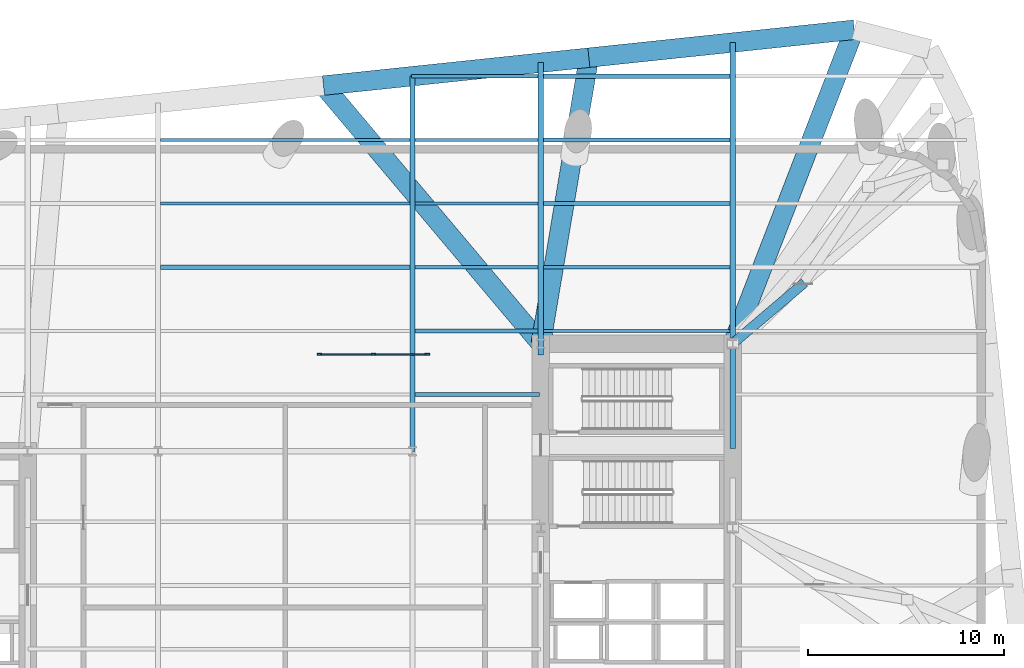
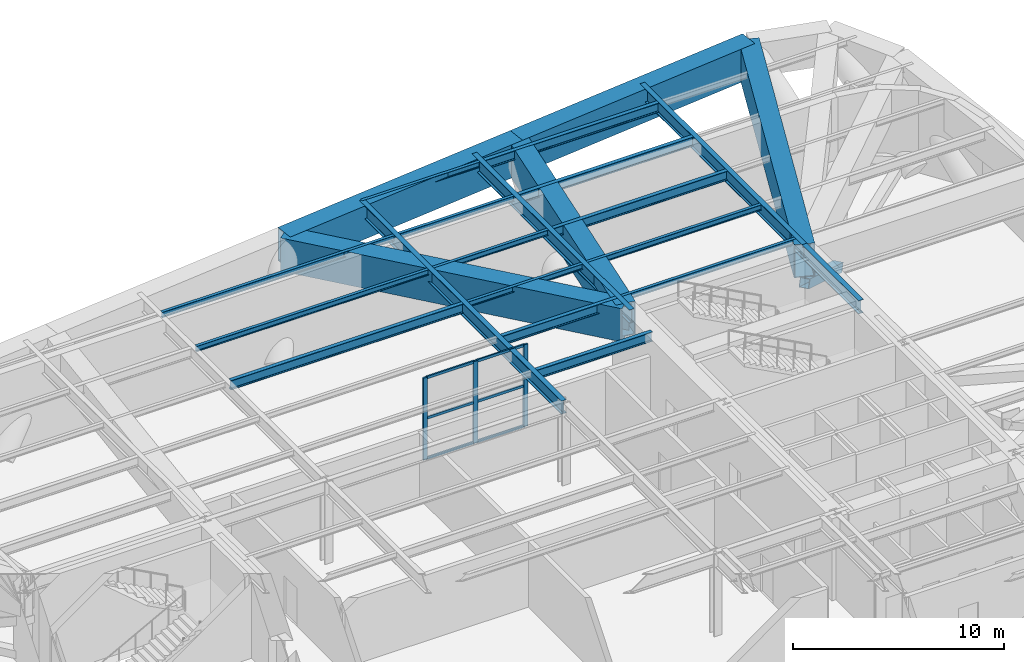
# One storey, part 5 of 16: 23 beams, 10 members, 1 element without a shape of its own.
"""IFC4 building model written with IfcOpenShell, lengths in metres."""

import ifcopenshell
import ifcopenshell.guid

model = None  # the IFC model being written
_history = None  # IfcOwnerHistory: only IFC2X3 demands one
_inside = {}  # id of a spatial element -> (the spatial element, [elements in it])
_under = {}  # id of a project, library or spatial element -> (it, [spatial elements below it])
_declared = {}  # id of a project -> (the project, [libraries it declares])
_typed = {}  # id of a type object -> (the type object, [elements of that type])
_made_of = {}  # id of a material, layer set ... -> (it, [elements and type objects made of it])


def new_model(schema):
    """Start an empty IFC model of exactly this schema.

    Asked for "IFC4X3", IfcOpenShell would pick the latest addendum, in which some entities
    have other attributes; the version numbers below select the first issue.
    IFC2X3 requires an IfcOwnerHistory on every rooted entity: one is made here for all.
    """
    global model, _history
    if schema == "IFC4X3":
        model = ifcopenshell.file(schema_version=(4, 3, 0, 0))
    else:
        model = ifcopenshell.file(schema=schema)
    _inside.clear()
    _under.clear()
    _declared.clear()
    _typed.clear()
    _made_of.clear()
    _history = None
    if model.schema == "IFC2X3":
        org = make("IfcOrganization", Name="unknown")
        user = make(
            "IfcPersonAndOrganization",
            ThePerson=make("IfcPerson", FamilyName="unknown"),
            TheOrganization=org,
        )
        app = make(
            "IfcApplication",
            ApplicationDeveloper=org,
            Version="unknown",
            ApplicationFullName="unknown",
            ApplicationIdentifier="unknown",
        )
        _history = make(
            "IfcOwnerHistory",
            OwningUser=user,
            OwningApplication=app,
            ChangeAction="ADDED",
            CreationDate=0,
        )
    return model


def make(cls, **values):
    """One entity of the class cls with the attributes given. An attribute that is None is left unset."""
    return model.create_entity(
        cls, **{name: value for name, value in values.items() if value is not None}
    )


def rooted(cls, **values):
    """An entity with a GlobalId (a new one), such as an element, a storey or a relation."""
    return make(cls, GlobalId=ifcopenshell.guid.new(), OwnerHistory=_history, **values)


def si_unit(unit_type, name, prefix=None):
    """IfcSIUnit, for example si_unit("LENGTHUNIT", "METRE", prefix="MILLI")."""
    return make("IfcSIUnit", UnitType=unit_type, Prefix=prefix, Name=name)


def assignment(units):
    """IfcUnitAssignment: the units of a project."""
    return None if units is None else make("IfcUnitAssignment", Units=units)


def point(xyz):
    """IfcCartesianPoint."""
    return None if xyz is None else make("IfcCartesianPoint", Coordinates=xyz)


def direction(xyz):
    """IfcDirection."""
    return None if xyz is None else make("IfcDirection", DirectionRatios=xyz)


def frame(location, z_axis=None, x_axis=None):
    """IfcAxis2Placement3D, a coordinate frame: its origin and axes. An axis left out is left unset."""
    return make(
        "IfcAxis2Placement3D",
        Location=point(location),
        Axis=direction(z_axis),
        RefDirection=direction(x_axis),
    )


def frame_2d(location, x_axis=None):
    """IfcAxis2Placement2D, a coordinate frame in the plane: its origin and x axis."""
    return make(
        "IfcAxis2Placement2D", Location=point(location), RefDirection=direction(x_axis)
    )


def origin():
    """The frame at (0, 0, 0) with its axes left unset."""
    return frame((0.0, 0.0, 0.0))


def origin_2d():
    """The frame at (0, 0) in the plane with its x axis left unset."""
    return frame_2d((0.0, 0.0))


def place(relative_to, where):
    """IfcLocalPlacement: puts the frame where relative to a parent placement (None: the world)."""
    return make(
        "IfcLocalPlacement", PlacementRelTo=relative_to, RelativePlacement=where
    )


def context(
    kind, dimensions, precision=None, world=None, true_north=None, identifier=None
):
    """IfcGeometricRepresentationContext, for example the 3D "Model" context."""
    return make(
        "IfcGeometricRepresentationContext",
        ContextIdentifier=identifier,
        ContextType=kind,
        CoordinateSpaceDimension=dimensions,
        Precision=precision,
        WorldCoordinateSystem=world,
        TrueNorth=true_north,
    )


def subcontext(parent, identifier, kind, view, scale=None):
    """IfcGeometricRepresentationSubContext, for example "Body" below "Model"."""
    return make(
        "IfcGeometricRepresentationSubContext",
        ContextIdentifier=identifier,
        ContextType=kind,
        ParentContext=parent,
        TargetScale=scale,
        TargetView=view,
    )


def project(units=None, contexts=None):
    """IfcProject with its units and contexts."""
    return rooted(
        "IfcProject",
        Name="project",
        RepresentationContexts=contexts,
        UnitsInContext=assignment(units),
    )


def spatial(cls, under=None, at=None, **own):
    """A site, building, storey or space (cls), placed at a placement, below another one or the project."""
    s = rooted(cls, ObjectPlacement=at, **own)
    if under is not None:
        _under.setdefault(under.id(), (under, []))[1].append(s)
    return s


def profile(cls, at=None, kind="AREA", **sizes):
    """A parametric profile (cls). Its sizes go by their IFC names, for example OverallWidth=200.0."""
    return make(cls, ProfileType=kind, Position=at, **sizes)


def rectangle(**sizes):
    """IfcRectangleProfileDef."""
    return profile("IfcRectangleProfileDef", **sizes)


def hollow_rectangle(**sizes):
    """IfcRectangleHollowProfileDef."""
    return profile("IfcRectangleHollowProfileDef", **sizes)


def i_section(**sizes):
    """IfcIShapeProfileDef."""
    return profile("IfcIShapeProfileDef", **sizes)


def extrude(swept, where, along, depth):
    """IfcExtrudedAreaSolid: the profile swept, set in the frame where, extruded along a direction by depth."""
    return make(
        "IfcExtrudedAreaSolid",
        SweptArea=swept,
        Position=where,
        ExtrudedDirection=direction(along),
        Depth=depth,
    )


def shape(context_of_items, identifier, shape_type, items):
    """IfcShapeRepresentation: the items that make up one representation, for example the "Body"."""
    return make(
        "IfcShapeRepresentation",
        ContextOfItems=context_of_items,
        RepresentationIdentifier=identifier,
        RepresentationType=shape_type,
        Items=items,
    )


def material(Name=None, Category=None):
    """IfcMaterial."""
    return make("IfcMaterial", Name=Name, Category=Category)


def material_profile(
    of_material, cross_section, Name=None, Category=None, Priority=None
):
    """IfcMaterialProfile: a cross section and its material."""
    return make(
        "IfcMaterialProfile",
        Name=Name,
        Material=of_material,
        Profile=cross_section,
        Priority=Priority,
        Category=Category,
    )


def profile_set(profiles, Name=None, composite=None):
    """IfcMaterialProfileSet."""
    return make(
        "IfcMaterialProfileSet",
        Name=Name,
        MaterialProfiles=profiles,
        CompositeProfile=composite,
    )


def made_of(thing, what):
    """Note that an element or type object is made of a material, layer set ...; save() writes the relation."""
    if what is not None:
        _made_of.setdefault(what.id(), (what, []))[1].append(thing)
    return thing


def type_object(cls, material=None, **own):
    """A type object (cls), such as IfcWallType, which elements share."""
    return made_of(rooted(cls, **own), material)


def element(
    cls,
    number,
    at=None,
    inside=None,
    cuts=None,
    type_object=None,
    material=None,
    context=None,
    identifier="Body",
    shape_type=None,
    held_by="IfcProductDefinitionShape",
    body=None,
    shapes=None,
    **own,
):
    """One element of the class cls, such as IfcWall. Its Tag is "e" and its number.

    at: its placement. inside: the storey or other place that contains it. cuts: it is an
    opening in that element (IfcRelVoidsElement). A single representation is given by context,
    identifier, shape_type and body (its items); several are given by shapes. held_by: the class
    of the entity that holds the representations. save() writes the other relations.
    """
    e = rooted(cls, Tag="e%d" % number, ObjectPlacement=at, **own)
    if body is not None:
        shapes = [shape(context, identifier, shape_type, body)]
    if shapes is not None:
        e.Representation = make(held_by, Representations=shapes)
    if inside is not None:
        _inside.setdefault(inside.id(), (inside, []))[1].append(e)
    if cuts is not None:
        rooted(
            "IfcRelVoidsElement", RelatingBuildingElement=cuts, RelatedOpeningElement=e
        )
    if type_object is not None:
        _typed.setdefault(type_object.id(), (type_object, []))[1].append(e)
    return made_of(e, material)


def aggregate(whole, parts):
    """IfcRelAggregates: a whole, such as a stair, and the parts it consists of."""
    return rooted("IfcRelAggregates", RelatingObject=whole, RelatedObjects=parts)


def save(model, path):
    """Write the relations noted so far, then the file.

    IfcRelAggregates (storeys below a building ...), IfcRelContainedInSpatialStructure (elements
    in a storey), IfcRelDefinesByType, IfcRelAssociatesMaterial and IfcRelDeclares: one each for
    every whole, place, type object, material and project.
    """
    for whole, parts in _under.values():
        aggregate(whole, parts)
    for where, things in _inside.values():
        rooted(
            "IfcRelContainedInSpatialStructure",
            RelatedElements=things,
            RelatingStructure=where,
        )
    for kind, things in _typed.values():
        rooted("IfcRelDefinesByType", RelatedObjects=things, RelatingType=kind)
    for what, things in _made_of.values():
        rooted("IfcRelAssociatesMaterial", RelatedObjects=things, RelatingMaterial=what)
    for by, libraries in _declared.values():
        rooted("IfcRelDeclares", RelatingContext=by, RelatedDefinitions=libraries)
    model.write(path)


model = new_model("IFC4")

# Units and contexts
model_context = context("Model", 3, precision=1e-05, world=origin(), true_north=direction((0.0, 1.0)))
body_context = subcontext(model_context, "Body", "Model", "MODEL_VIEW")
ifc_project = project(units=[si_unit("LENGTHUNIT", "METRE"), si_unit("AREAUNIT", "SQUARE_METRE"), si_unit("VOLUMEUNIT", "CUBIC_METRE"), si_unit("PLANEANGLEUNIT", "RADIAN"), si_unit("MASSUNIT", "GRAM", prefix="KILO")], contexts=[model_context])

# Site, building, storey
site_placement = place(None, origin())
site = spatial("IfcSite", under=ifc_project, at=site_placement, CompositionType="ELEMENT")
building_placement = place(site_placement, origin())
building = spatial("IfcBuilding", under=site, at=building_placement, Name="Kolvaren Arena Tower", CompositionType="ELEMENT")
storey_placement = place(building_placement, frame((0.0, 0.0, 94.5)))
storey = spatial("IfcBuildingStorey", under=building, at=storey_placement, Name="L21", CompositionType="ELEMENT", Elevation=94.5)

# Beams
ifc_material_1 = material(Name="Steel CSA G40.21 350W", Category="steel")
ifc_material_profile_1 = material_profile(ifc_material_1, i_section(OverallWidth=0.2119140625, OverallDepth=0.54296875, WebThickness=0.01318359375, FlangeThickness=0.0244140625, FilletRadius=0.013916015625, at=origin_2d()), Name="W530x150")
ifc_profile_set_1 = profile_set([ifc_material_profile_1], Name="Steel CSA G40.21 350W")
beam_type_1 = type_object("IfcBeamType", Name="BEAM-F1", PredefinedType="BEAM", material=ifc_profile_set_1)
beam_1_placement = place(storey_placement, frame((44.135009765625, 36.75, 4.478515625), z_axis=(1.0, 0.0, 0.0), x_axis=(0.0, 1.0, 0.0)))
element("IfcBeam", 1, at=beam_1_placement, inside=storey, type_object=beam_type_1, Name="Composite Floor Beam (L21)", PredefinedType="BEAM", context=body_context, shape_type="SweptSolid", body=[
    extrude(i_section(OverallWidth=0.2119140625, OverallDepth=0.54296875, WebThickness=0.01318359375, FlangeThickness=0.0244140625, FilletRadius=0.013916015625, at=origin_2d()), origin(), (0.0, 0.0, 1.0), 6.344970703125),
])
beam_2_placement = place(storey_placement, frame((44.135009765625, 40.0, 4.478515625), z_axis=(1.0, 0.0, 0.0), x_axis=(0.0, 1.0, 0.0)))
element("IfcBeam", 2, at=beam_2_placement, inside=storey, type_object=beam_type_1, Name="Composite Floor Beam (L21)", PredefinedType="BEAM", context=body_context, shape_type="SweptSolid", body=[
    extrude(i_section(OverallWidth=0.2119140625, OverallDepth=0.54296875, WebThickness=0.01318359375, FlangeThickness=0.0244140625, FilletRadius=0.013916015625, at=origin_2d()), origin(), (0.0, 0.0, 1.0), 6.280029296875),
])
beam_3_placement = place(storey_placement, frame((31.135009765625, 43.25, 4.478515625), z_axis=(1.0, 0.0, 0.0), x_axis=(0.0, 1.0, 0.0)))
element("IfcBeam", 3, at=beam_3_placement, inside=storey, type_object=beam_type_1, Name="Composite Floor Beam (L21)", PredefinedType="BEAM", context=body_context, shape_type="SweptSolid", body=[
    extrude(i_section(OverallWidth=0.2119140625, OverallDepth=0.54296875, WebThickness=0.01318359375, FlangeThickness=0.0244140625, FilletRadius=0.013916015625, at=origin_2d()), origin(), (0.0, 0.0, 1.0), 12.72998046875),
])
for number, where, z_axis, x_axis, name in (
    (4, (50.68505859375, 46.5, 4.478515625), (1.0, 0.0, 0.0), (0.0, 1.0, 0.0), "Composite Floor Beam (L21)"),
    (5, (50.68505859375, 49.75, 4.478515625), (1.0, 0.0, 0.0), (0.0, 1.0, 0.0), "Composite Floor Beam (L21)"),
    (6, (50.68505859375, 53.0, 4.478515625), (1.0, 0.0, 0.0), (0.0, 1.0, 0.0), "Composite Floor Beam (L21)"),
):
    element("IfcBeam", number, at=place(storey_placement, frame(where, z_axis=z_axis, x_axis=x_axis)), inside=storey, type_object=beam_type_1, Name=name, PredefinedType="BEAM", context=body_context, shape_type="SweptSolid", body=[
        extrude(i_section(OverallWidth=0.2119140625, OverallDepth=0.54296875, WebThickness=0.01318359375, FlangeThickness=0.0244140625, FilletRadius=0.013916015625, at=origin_2d()), origin(), (0.0, 0.0, 1.0), 9.530029296875),
    ])

# Curtain wall, members
ifc_material_2 = material(Name="Anodised aluminium unitised curtain wall", Category="aluminium")
curtain_wall_type = type_object("IfcCurtainWallType", Name="CW-SYS-05", PredefinedType="USERDEFINED", material=ifc_material_2)
curtain_wall_placement = place(storey_placement, origin())
curtain_wall = element("IfcCurtainWall", 7, at=curtain_wall_placement, inside=storey, type_object=curtain_wall_type, Name="Mechanical Plant Louvre Curtain Wall (L21)", ObjectType="ACOUSTIC LOUVRE SCREEN", PredefinedType="USERDEFINED")
ifc_material_3 = material(Name="Anodised aluminium 6063-T6", Category="aluminium")
ifc_material_profile_2 = material_profile(ifc_material_3, rectangle(XDim=0.10009765625, YDim=0.239990234375, at=origin_2d()), Name="ALU-100x240")
ifc_profile_set_2 = profile_set([ifc_material_profile_2], Name="Anodised aluminium 6063-T6")
member_type_1 = type_object("IfcMemberType", Name="CWM-HVY", PredefinedType="MULLION", material=ifc_profile_set_2)
member_1_placement = place(storey_placement, frame((39.25, 38.800048828125, 0.0), z_axis=(0.0, 0.0, 1.0), x_axis=(0.0, 1.0, 0.0)))
member_1 = element("IfcMember", 8, at=member_1_placement, type_object=member_type_1, Name="CW5 mullion 1", PredefinedType="MULLION", context=body_context, shape_type="SweptSolid", body=[
    extrude(rectangle(XDim=0.10009765625, YDim=0.239990234375, at=origin_2d()), origin(), (0.0, 0.0, 1.0), 4.75),
])
member_2_placement = place(storey_placement, frame((42.0, 38.800048828125, 0.0), z_axis=(0.0, 0.0, 1.0), x_axis=(0.0, 1.0, 0.0)))
member_2 = element("IfcMember", 9, at=member_2_placement, type_object=member_type_1, Name="CW5 mullion 2", PredefinedType="MULLION", context=body_context, shape_type="SweptSolid", body=[
    extrude(rectangle(XDim=0.10009765625, YDim=0.239990234375, at=origin_2d()), origin(), (0.0, 0.0, 1.0), 4.75),
])
member_3_placement = place(storey_placement, frame((44.75, 38.800048828125, 0.0), z_axis=(0.0, 0.0, 1.0), x_axis=(0.0, 1.0, 0.0)))
member_3 = element("IfcMember", 10, at=member_3_placement, type_object=member_type_1, Name="CW5 mullion 3", PredefinedType="MULLION", context=body_context, shape_type="SweptSolid", body=[
    extrude(rectangle(XDim=0.10009765625, YDim=0.239990234375, at=origin_2d()), origin(), (0.0, 0.0, 1.0), 4.75),
])
ifc_material_profile_3 = material_profile(ifc_material_3, rectangle(XDim=0.080078125, YDim=0.14990234375, at=origin_2d()), Name="ALU-80x150")
ifc_profile_set_3 = profile_set([ifc_material_profile_3], Name="Anodised aluminium 6063-T6")
member_type_2 = type_object("IfcMemberType", Name="CWT-STD", PredefinedType="USERDEFINED", material=ifc_profile_set_3)
member_4_placement = place(storey_placement, frame((39.300048828125, 38.800048828125, 0.0400390625), z_axis=(1.0, 0.0, 0.0), x_axis=(0.0, 1.0, 0.0)))
member_4 = element("IfcMember", 11, at=member_4_placement, type_object=member_type_2, Name="CW5 transom 1.1", ObjectType="TRANSOM", PredefinedType="USERDEFINED", context=body_context, shape_type="SweptSolid", body=[
    extrude(rectangle(XDim=0.080078125, YDim=0.14990234375, at=origin_2d()), origin(), (0.0, 0.0, 1.0), 2.64990234375),
])
member_5_placement = place(storey_placement, frame((39.300048828125, 38.800048828125, 2.375), z_axis=(1.0, 0.0, 0.0), x_axis=(0.0, 1.0, 0.0)))
member_5 = element("IfcMember", 12, at=member_5_placement, type_object=member_type_2, Name="CW5 transom 1.2", ObjectType="TRANSOM", PredefinedType="USERDEFINED", context=body_context, shape_type="SweptSolid", body=[
    extrude(rectangle(XDim=0.080078125, YDim=0.14990234375, at=origin_2d()), origin(), (0.0, 0.0, 1.0), 2.64990234375),
])
member_6_placement = place(storey_placement, frame((39.300048828125, 38.800048828125, 4.7099609375), z_axis=(1.0, 0.0, 0.0), x_axis=(0.0, 1.0, 0.0)))
member_6 = element("IfcMember", 13, at=member_6_placement, type_object=member_type_2, Name="CW5 transom 1.3", ObjectType="TRANSOM", PredefinedType="USERDEFINED", context=body_context, shape_type="SweptSolid", body=[
    extrude(rectangle(XDim=0.080078125, YDim=0.14990234375, at=origin_2d()), origin(), (0.0, 0.0, 1.0), 2.64990234375),
])
member_7_placement = place(storey_placement, frame((42.050048828125, 38.800048828125, 0.0400390625), z_axis=(1.0, 0.0, 0.0), x_axis=(0.0, 1.0, 0.0)))
member_7 = element("IfcMember", 14, at=member_7_placement, type_object=member_type_2, Name="CW5 transom 2.1", ObjectType="TRANSOM", PredefinedType="USERDEFINED", context=body_context, shape_type="SweptSolid", body=[
    extrude(rectangle(XDim=0.080078125, YDim=0.14990234375, at=origin_2d()), origin(), (0.0, 0.0, 1.0), 2.64990234375),
])
member_8_placement = place(storey_placement, frame((42.050048828125, 38.800048828125, 2.375), z_axis=(1.0, 0.0, 0.0), x_axis=(0.0, 1.0, 0.0)))
member_8 = element("IfcMember", 15, at=member_8_placement, type_object=member_type_2, Name="CW5 transom 2.2", ObjectType="TRANSOM", PredefinedType="USERDEFINED", context=body_context, shape_type="SweptSolid", body=[
    extrude(rectangle(XDim=0.080078125, YDim=0.14990234375, at=origin_2d()), origin(), (0.0, 0.0, 1.0), 2.64990234375),
])
member_9_placement = place(storey_placement, frame((42.050048828125, 38.800048828125, 4.7099609375), z_axis=(1.0, 0.0, 0.0), x_axis=(0.0, 1.0, 0.0)))
member_9 = element("IfcMember", 16, at=member_9_placement, type_object=member_type_2, Name="CW5 transom 2.3", ObjectType="TRANSOM", PredefinedType="USERDEFINED", context=body_context, shape_type="SweptSolid", body=[
    extrude(rectangle(XDim=0.080078125, YDim=0.14990234375, at=origin_2d()), origin(), (0.0, 0.0, 1.0), 2.64990234375),
])
aggregate(curtain_wall, [member_1, member_2, member_3, member_4, member_5, member_6, member_7, member_8, member_9])

# Beams
ifc_material_profile_4 = material_profile(ifc_material_1, i_section(OverallWidth=0.27001953125, OverallDepth=0.77294921875, WebThickness=0.019287109375, FlangeThickness=0.033447265625, FilletRadius=0.01806640625, at=origin_2d()), Name="W760x257")
ifc_profile_set_4 = profile_set([ifc_material_profile_4], Name="Steel CSA G40.21 350W")
beam_type_2 = type_object("IfcBeamType", Name="GIRD-T1", PredefinedType="BEAM", material=ifc_profile_set_4)
beam_4_placement = place(storey_placement, frame((44.0, 33.85009765625, 4.363525390625), z_axis=(0.0, 1.0, 0.0), x_axis=(-1.0, 0.0, 0.0)))
element("IfcBeam", 17, at=beam_4_placement, inside=storey, type_object=beam_type_2, Name="Primary Floor Girder (L21)", PredefinedType="BEAM", context=body_context, shape_type="SweptSolid", body=[
    extrude(i_section(OverallWidth=0.27001953125, OverallDepth=0.77294921875, WebThickness=0.019287109375, FlangeThickness=0.033447265625, FilletRadius=0.01806640625, at=origin_2d()), origin(), (0.0, 0.0, 1.0), 19.15478515625),
])
beam_5_placement = place(storey_placement, frame((50.550048828125, 38.760009765625, 4.363525390625), z_axis=(0.0, 1.0, 0.0), x_axis=(-1.0, 0.0, 0.0)))
element("IfcBeam", 18, at=beam_5_placement, inside=storey, type_object=beam_type_2, Name="Primary Floor Girder (L21)", PredefinedType="BEAM", context=body_context, shape_type="SweptSolid", body=[
    extrude(i_section(OverallWidth=0.27001953125, OverallDepth=0.77294921875, WebThickness=0.019287109375, FlangeThickness=0.033447265625, FilletRadius=0.01806640625, at=origin_2d()), origin(), (0.0, 0.0, 1.0), 14.933349609375),
])
beam_6_placement = place(storey_placement, frame((60.35009765625, 33.985107421875, 4.363525390625), z_axis=(0.0, 1.0, 0.0), x_axis=(-1.0, 0.0, 0.0)))
element("IfcBeam", 19, at=beam_6_placement, inside=storey, type_object=beam_type_2, Name="Primary Floor Girder (L21)", PredefinedType="BEAM", context=body_context, shape_type="SweptSolid", body=[
    extrude(i_section(OverallWidth=0.27001953125, OverallDepth=0.77294921875, WebThickness=0.019287109375, FlangeThickness=0.033447265625, FilletRadius=0.01806640625, at=origin_2d()), origin(), (0.0, 0.0, 1.0), 5.364990234375),
])
beam_7_placement = place(storey_placement, frame((60.35009765625, 39.35009765625, 4.363525390625), z_axis=(0.0, 1.0, 0.0), x_axis=(-1.0, 0.0, 0.0)))
element("IfcBeam", 20, at=beam_7_placement, inside=storey, type_object=beam_type_2, Name="Primary Floor Girder (L21)", PredefinedType="BEAM", context=body_context, shape_type="SweptSolid", body=[
    extrude(i_section(OverallWidth=0.27001953125, OverallDepth=0.77294921875, WebThickness=0.019287109375, FlangeThickness=0.033447265625, FilletRadius=0.01806640625, at=origin_2d()), origin(), (0.0, 0.0, 1.0), 15.373291015625),
])
ifc_material_profile_5 = material_profile(ifc_material_1, i_section(OverallWidth=0.1669921875, OverallDepth=0.31689453125, WebThickness=0.007568359375, FlangeThickness=0.01318359375, FilletRadius=0.010009765625, at=origin_2d()), Name="W310x52")
ifc_profile_set_5 = profile_set([ifc_material_profile_5], Name="Steel CSA G40.21 350W")
beam_type_3 = type_object("IfcBeamType", Name="JOIST-02", PredefinedType="JOIST", material=ifc_profile_set_5)
beam_8_placement = place(storey_placement, frame((50.68505859375, 40.0, 4.591552734375), z_axis=(1.0, 0.0, 0.0), x_axis=(0.0, 1.0, 0.0)))
element("IfcBeam", 21, at=beam_8_placement, inside=storey, type_object=beam_type_3, Name="Composite Floor Joist (L21)", PredefinedType="JOIST", context=body_context, shape_type="SweptSolid", body=[
    extrude(i_section(OverallWidth=0.1669921875, OverallDepth=0.31689453125, WebThickness=0.007568359375, FlangeThickness=0.01318359375, FilletRadius=0.010009765625, at=origin_2d()), origin(), (0.0, 0.0, 1.0), 9.530029296875),
])
beam_9_placement = place(storey_placement, frame((44.135009765625, 43.25, 4.591552734375), z_axis=(1.0, 0.0, 0.0), x_axis=(0.0, 1.0, 0.0)))
element("IfcBeam", 22, at=beam_9_placement, inside=storey, type_object=beam_type_3, Name="Composite Floor Joist (L21)", PredefinedType="JOIST", context=body_context, shape_type="SweptSolid", body=[
    extrude(i_section(OverallWidth=0.1669921875, OverallDepth=0.31689453125, WebThickness=0.007568359375, FlangeThickness=0.01318359375, FilletRadius=0.010009765625, at=origin_2d()), origin(), (0.0, 0.0, 1.0), 6.280029296875),
])
beam_10_placement = place(storey_placement, frame((50.68505859375, 43.25, 4.591552734375), z_axis=(1.0, 0.0, 0.0), x_axis=(0.0, 1.0, 0.0)))
element("IfcBeam", 23, at=beam_10_placement, inside=storey, type_object=beam_type_3, Name="Composite Floor Joist (L21)", PredefinedType="JOIST", context=body_context, shape_type="SweptSolid", body=[
    extrude(i_section(OverallWidth=0.1669921875, OverallDepth=0.31689453125, WebThickness=0.007568359375, FlangeThickness=0.01318359375, FilletRadius=0.010009765625, at=origin_2d()), origin(), (0.0, 0.0, 1.0), 9.530029296875),
])
beam_11_placement = place(storey_placement, frame((31.135009765625, 46.5, 4.591552734375), z_axis=(1.0, 0.0, 0.0), x_axis=(0.0, 1.0, 0.0)))
element("IfcBeam", 24, at=beam_11_placement, inside=storey, type_object=beam_type_3, Name="Composite Floor Joist (L21)", PredefinedType="JOIST", context=body_context, shape_type="SweptSolid", body=[
    extrude(i_section(OverallWidth=0.1669921875, OverallDepth=0.31689453125, WebThickness=0.007568359375, FlangeThickness=0.01318359375, FilletRadius=0.010009765625, at=origin_2d()), origin(), (0.0, 0.0, 1.0), 12.72998046875),
])
beam_12_placement = place(storey_placement, frame((44.135009765625, 46.5, 4.591552734375), z_axis=(1.0, 0.0, 0.0), x_axis=(0.0, 1.0, 0.0)))
element("IfcBeam", 25, at=beam_12_placement, inside=storey, type_object=beam_type_3, Name="Composite Floor Joist (L21)", PredefinedType="JOIST", context=body_context, shape_type="SweptSolid", body=[
    extrude(i_section(OverallWidth=0.1669921875, OverallDepth=0.31689453125, WebThickness=0.007568359375, FlangeThickness=0.01318359375, FilletRadius=0.010009765625, at=origin_2d()), origin(), (0.0, 0.0, 1.0), 6.280029296875),
])
beam_13_placement = place(storey_placement, frame((31.135009765625, 49.75, 4.591552734375), z_axis=(1.0, 0.0, 0.0), x_axis=(0.0, 1.0, 0.0)))
element("IfcBeam", 26, at=beam_13_placement, inside=storey, type_object=beam_type_3, Name="Composite Floor Joist (L21)", PredefinedType="JOIST", context=body_context, shape_type="SweptSolid", body=[
    extrude(i_section(OverallWidth=0.1669921875, OverallDepth=0.31689453125, WebThickness=0.007568359375, FlangeThickness=0.01318359375, FilletRadius=0.010009765625, at=origin_2d()), origin(), (0.0, 0.0, 1.0), 12.72998046875),
])
beam_14_placement = place(storey_placement, frame((44.135009765625, 49.75, 4.591552734375), z_axis=(1.0, 0.0, 0.0), x_axis=(0.0, 1.0, 0.0)))
element("IfcBeam", 27, at=beam_14_placement, inside=storey, type_object=beam_type_3, Name="Composite Floor Joist (L21)", PredefinedType="JOIST", context=body_context, shape_type="SweptSolid", body=[
    extrude(i_section(OverallWidth=0.1669921875, OverallDepth=0.31689453125, WebThickness=0.007568359375, FlangeThickness=0.01318359375, FilletRadius=0.010009765625, at=origin_2d()), origin(), (0.0, 0.0, 1.0), 6.280029296875),
])
beam_15_placement = place(storey_placement, frame((43.95361328125, 53.0, 4.591552734375), z_axis=(1.0, 0.0, 0.0), x_axis=(0.0, 1.0, 0.0)))
element("IfcBeam", 28, at=beam_15_placement, inside=storey, type_object=beam_type_3, Name="Composite Floor Joist (L21)", PredefinedType="JOIST", context=body_context, shape_type="SweptSolid", body=[
    extrude(i_section(OverallWidth=0.1669921875, OverallDepth=0.31689453125, WebThickness=0.007568359375, FlangeThickness=0.01318359375, FilletRadius=0.010009765625, at=origin_2d()), origin(), (0.0, 0.0, 1.0), 6.46142578125),
])

# Member
ifc_material_4 = material(Name="Steel CSA G40.21 350WT", Category="steel")
ifc_material_profile_6 = material_profile(ifc_material_4, hollow_rectangle(XDim=0.5, YDim=0.5, WallThickness=0.02197265625, at=origin_2d()), Name="HSS 500x500x22")
ifc_profile_set_6 = profile_set([ifc_material_profile_6], Name="Steel CSA G40.21 350WT")
member_type_3 = type_object("IfcMemberType", Name="OUT-DIAG", PredefinedType="BRACE", material=ifc_profile_set_6)
member_10_placement = place(storey_placement, frame((60.35009765625, 39.35009765625, 2.47998046875), z_axis=(0.693559064968, 0.590410015874, -0.412785460689), x_axis=(-0.648212210868, 0.761459736087, 0.0)))
element("IfcMember", 29, at=member_10_placement, inside=storey, type_object=member_type_3, Name="Outrigger Warren Diagonal A 4 (L21)", PredefinedType="BRACE", context=body_context, shape_type="SweptSolid", body=[
    extrude(hollow_rectangle(XDim=0.5, YDim=0.5, WallThickness=0.02197265625, at=origin_2d()), origin(), (0.0, 0.0, 1.0), 5.15966796875),
])

# Beams
ifc_material_profile_7 = material_profile(ifc_material_4, hollow_rectangle(XDim=1.0, YDim=1.919921875, WallThickness=0.044921875, at=origin_2d()), Name="BOX 1000x1920x45")
ifc_profile_set_7 = profile_set([ifc_material_profile_7], Name="Steel CSA G40.21 350WT")
beam_type_4 = type_object("IfcBeamType", Name="TG-MEGA", PredefinedType="USERDEFINED", material=ifc_profile_set_7)
beam_16_placement = place(storey_placement, frame((66.55419921875, 55.37548828125, 3.7900390625), z_axis=(-0.994521150946, -0.104535545729, 0.0), x_axis=(0.104535545729, -0.994521150946, 0.0)))
element("IfcBeam", 30, at=beam_16_placement, inside=storey, type_object=beam_type_4, Name="Perimeter Transfer Ring Girder 12 (L21)", ObjectType="TRANSFER GIRDER", PredefinedType="USERDEFINED", context=body_context, shape_type="SweptSolid", body=[
    extrude(hollow_rectangle(XDim=1.0, YDim=1.919921875, WallThickness=0.044921875, at=origin_2d()), origin(), (0.0, 0.0, 1.0), 13.625244140625),
])
beam_17_placement = place(storey_placement, frame((66.55419921875, 55.37548828125, 3.7900390625), z_axis=(-0.361030770734, -0.932553903312, 0.0), x_axis=(0.932553903312, -0.361030770734, 0.0)))
element("IfcBeam", 31, at=beam_17_placement, inside=storey, type_object=beam_type_4, Name="Cantilever Block Transfer Girder 12 (L21)", ObjectType="TRANSFER GIRDER", PredefinedType="USERDEFINED", context=body_context, shape_type="SweptSolid", body=[
    extrude(hollow_rectangle(XDim=1.0, YDim=1.919921875, WallThickness=0.044921875, at=origin_2d()), origin(), (0.0, 0.0, 1.0), 17.184326171875),
])
beam_18_placement = place(storey_placement, frame((53.003662109375, 53.951171875, 3.7900390625), z_axis=(-0.994522817887, -0.104519685718, 0.0), x_axis=(0.104519685718, -0.994522817887, 0.0)))
element("IfcBeam", 32, at=beam_18_placement, inside=storey, type_object=beam_type_4, Name="Perimeter Transfer Ring Girder 13 (L21)", ObjectType="TRANSFER GIRDER", PredefinedType="USERDEFINED", context=body_context, shape_type="SweptSolid", body=[
    extrude(hollow_rectangle(XDim=1.0, YDim=1.919921875, WallThickness=0.044921875, at=origin_2d()), origin(), (0.0, 0.0, 1.0), 13.625),
])
beam_19_placement = place(storey_placement, frame((53.003662109375, 53.951171875, 3.7900390625), z_axis=(-0.165719785011, -0.986172881829, 0.0), x_axis=(0.986172881829, -0.165719785011, 0.0)))
element("IfcBeam", 33, at=beam_19_placement, inside=storey, type_object=beam_type_4, Name="Cantilever Block Transfer Girder 13 (L21)", ObjectType="TRANSFER GIRDER", PredefinedType="USERDEFINED", context=body_context, shape_type="SweptSolid", body=[
    extrude(hollow_rectangle(XDim=1.0, YDim=1.919921875, WallThickness=0.044921875, at=origin_2d()), origin(), (0.0, 0.0, 1.0), 14.805908203125),
])
beam_20_placement = place(storey_placement, frame((39.453369140625, 52.527099609375, 3.7900390625), z_axis=(0.644144474022, -0.764903847936, 0.0), x_axis=(0.764903847936, 0.644144474022, 0.0)))
element("IfcBeam", 34, at=beam_20_placement, inside=storey, type_object=beam_type_4, Name="Cantilever Block Transfer Girder 14 (L21)", ObjectType="TRANSFER GIRDER", PredefinedType="USERDEFINED", context=body_context, shape_type="SweptSolid", body=[
    extrude(hollow_rectangle(XDim=1.0, YDim=1.919921875, WallThickness=0.044921875, at=origin_2d()), origin(), (0.0, 0.0, 1.0), 17.22705078125),
])

save(model, "model.ifc")
